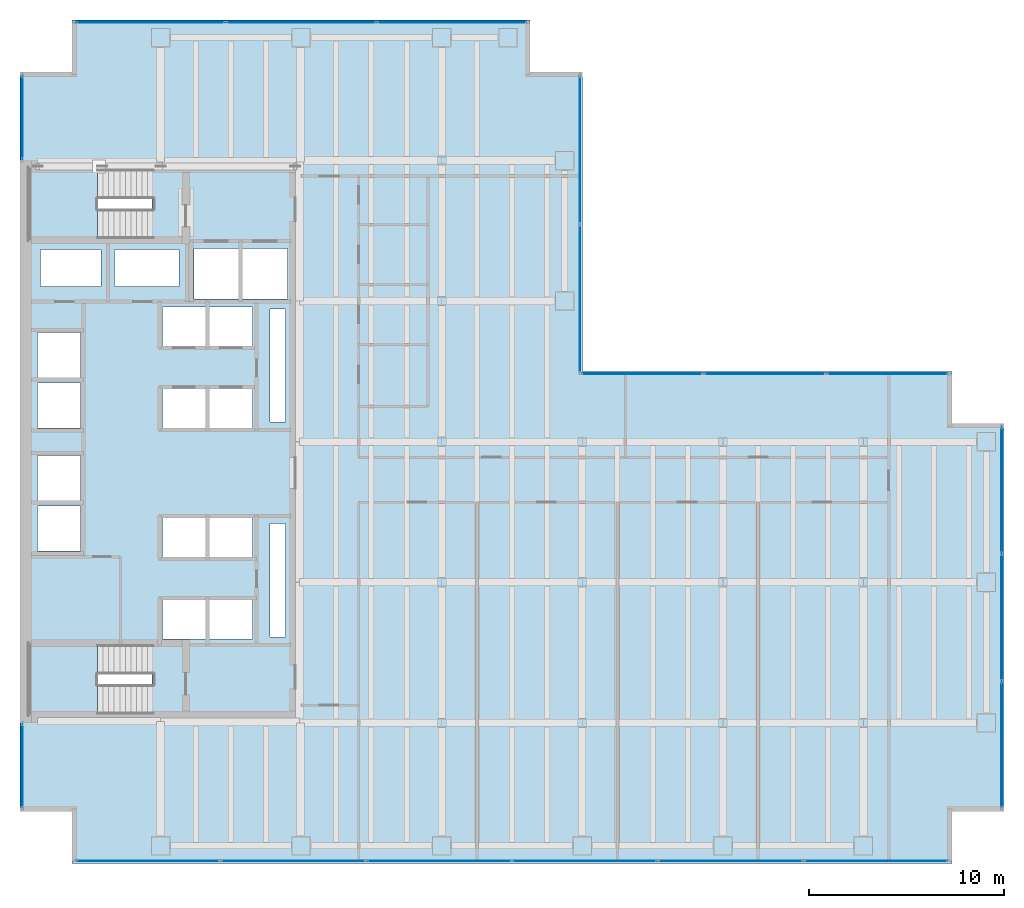
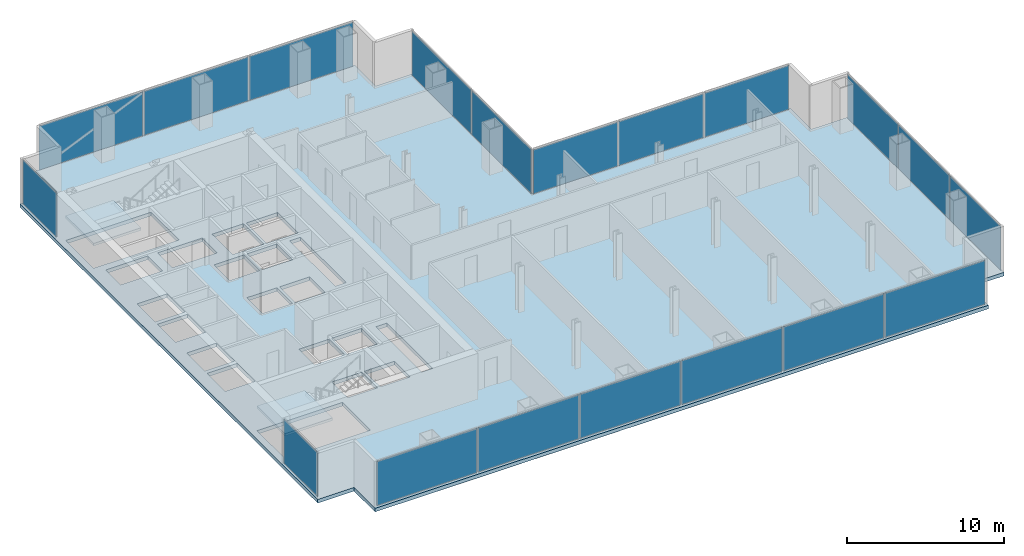
# One storey, part 19 of 23: 19 plates, 3 slabs, 20 openings, 9 elements without a shape of their own.
"""IFC4 building model written with IfcOpenShell, lengths in metres."""

from ifc_helpers import new_model, si_unit, direction, frame, origin, origin_2d, place, context, subcontext, project, spatial, polyline, rectangle, outline, extrude, material, layer, layer_set, type_object, element, aggregate, save


model = new_model("IFC4")

# Units and contexts
model_context = context("Model", 3, precision=1e-05, world=origin(), true_north=direction((0.0, 1.0)))
body_context = subcontext(model_context, "Body", "Model", "MODEL_VIEW")
ifc_project = project(units=[si_unit("LENGTHUNIT", "METRE"), si_unit("AREAUNIT", "SQUARE_METRE"), si_unit("VOLUMEUNIT", "CUBIC_METRE"), si_unit("PLANEANGLEUNIT", "RADIAN"), si_unit("MASSUNIT", "GRAM", prefix="KILO")], contexts=[model_context])

# Site, building, storey
site_placement = place(None, origin())
site = spatial("IfcSite", under=ifc_project, at=site_placement, CompositionType="ELEMENT")
building_placement = place(site_placement, origin())
building = spatial("IfcBuilding", under=site, at=building_placement, Name="Cobrela Telecom Tower", CompositionType="ELEMENT")
storey_placement = place(building_placement, frame((0.0, 0.0, 54.25)))
storey = spatial("IfcBuildingStorey", under=building, at=storey_placement, Name="L13", CompositionType="ELEMENT", Elevation=54.25)

# Curtain wall, plate
ifc_material_1 = material(Name="Anodized Bronze Aluminium 6063-T6", Category="aluminium")
curtain_wall_type = type_object("IfcCurtainWallType", Name="CW-SYS-DATA", PredefinedType="USERDEFINED", material=ifc_material_1)
curtain_wall_1_placement = place(storey_placement, origin())
curtain_wall_1 = element("IfcCurtainWall", 1, at=curtain_wall_1_placement, inside=storey, type_object=curtain_wall_type, Name="L13 Unitised Bronze Curtain Wall 03", ObjectType="UNITISED CURTAIN WALL", PredefinedType="USERDEFINED")
ifc_material_2 = material(Name="Solar-Control Bronze Low-E Glass", Category="glass")
ifc_layer_1 = layer(ifc_material_2, 0.0380859375)
ifc_layer_set_1 = layer_set([ifc_layer_1], Name="Solar-Control Bronze Low-E Glass")
plate_type = type_object("IfcPlateType", Name="CW-SYS-DATA-PNL", PredefinedType="CURTAIN_PANEL", material=ifc_layer_set_1)
plate_1_placement = place(storey_placement, frame((0.1201171875, 4.9951171875, 0.074951171875), z_axis=(0.0, 0.0, 1.0), x_axis=(0.0, 1.0, 0.0)))
plate_1 = element("IfcPlate", 2, at=plate_1_placement, type_object=plate_type, Name="CW-DATA panel 1.1", PredefinedType="CURTAIN_PANEL", context=body_context, shape_type="SweptSolid", body=[
    extrude(rectangle(XDim=4.25, YDim=0.0380859375, at=origin_2d()), origin(), (0.0, 0.0, 1.0), 3.419921875),
])
aggregate(curtain_wall_1, [plate_1])

curtain_wall_2_placement = place(storey_placement, origin())
curtain_wall_2 = element("IfcCurtainWall", 3, at=curtain_wall_2_placement, inside=storey, type_object=curtain_wall_type, Name="L13 Unitised Bronze Curtain Wall 04", ObjectType="UNITISED CURTAIN WALL", PredefinedType="USERDEFINED")
plate_2_placement = place(storey_placement, frame((0.1201171875, 38.205078125, 0.074951171875), z_axis=(0.0, 0.0, 1.0), x_axis=(0.0, 1.0, 0.0)))
plate_2 = element("IfcPlate", 4, at=plate_2_placement, type_object=plate_type, Name="CW-DATA panel 1.1", PredefinedType="CURTAIN_PANEL", context=body_context, shape_type="SweptSolid", body=[
    extrude(rectangle(XDim=4.25, YDim=0.0380859375, at=origin_2d()), origin(), (0.0, 0.0, 1.0), 3.419921875),
])
aggregate(curtain_wall_2, [plate_2])

# Curtain wall, plates
curtain_wall_3_placement = place(storey_placement, origin())
curtain_wall_3 = element("IfcCurtainWall", 5, at=curtain_wall_3_placement, inside=storey, type_object=curtain_wall_type, Name="L13 Unitised Bronze Curtain Wall 07", ObjectType="UNITISED CURTAIN WALL", PredefinedType="USERDEFINED")
plate_3_placement = place(storey_placement, frame((6.679931640625, 43.080078125, 0.074951171875), z_axis=(0.0, 0.0, 1.0), x_axis=(1.0, 0.0, 0.0)))
plate_3 = element("IfcPlate", 6, at=plate_3_placement, type_object=plate_type, Name="CW-DATA panel 1.1", PredefinedType="CURTAIN_PANEL", context=body_context, shape_type="SweptSolid", body=[
    extrude(rectangle(XDim=7.6201171875, YDim=0.0380859375, at=origin_2d()), origin(), (0.0, 0.0, 1.0), 3.419921875),
])
plate_4_placement = place(storey_placement, frame((14.39990234375, 43.080078125, 0.074951171875), z_axis=(0.0, 0.0, 1.0), x_axis=(1.0, 0.0, 0.0)))
plate_4 = element("IfcPlate", 7, at=plate_4_placement, type_object=plate_type, Name="CW-DATA panel 2.1", PredefinedType="CURTAIN_PANEL", context=body_context, shape_type="SweptSolid", body=[
    extrude(rectangle(XDim=7.659912109375, YDim=0.0380859375, at=origin_2d()), origin(), (0.0, 0.0, 1.0), 3.419921875),
])
plate_5_placement = place(storey_placement, frame((22.1201171875, 43.080078125, 0.074951171875), z_axis=(0.0, 0.0, 1.0), x_axis=(1.0, 0.0, 0.0)))
plate_5 = element("IfcPlate", 8, at=plate_5_placement, type_object=plate_type, Name="CW-DATA panel 3.1", PredefinedType="CURTAIN_PANEL", context=body_context, shape_type="SweptSolid", body=[
    extrude(rectangle(XDim=7.6201171875, YDim=0.0380859375, at=origin_2d()), origin(), (0.0, 0.0, 1.0), 3.419921875),
])
aggregate(curtain_wall_3, [plate_3, plate_4, plate_5])

curtain_wall_4_placement = place(storey_placement, origin())
curtain_wall_4 = element("IfcCurtainWall", 9, at=curtain_wall_4_placement, inside=storey, type_object=curtain_wall_type, Name="L13 Unitised Bronze Curtain Wall 10", ObjectType="UNITISED CURTAIN WALL", PredefinedType="USERDEFINED")
plate_6_placement = place(storey_placement, frame((28.679931640625, 36.5576171875, 0.074951171875), z_axis=(0.0, 0.0, 1.0), x_axis=(0.0, -1.0, 0.0)))
plate_6 = element("IfcPlate", 10, at=plate_6_placement, type_object=plate_type, Name="CW-DATA panel 1.1", PredefinedType="CURTAIN_PANEL", context=body_context, shape_type="SweptSolid", body=[
    extrude(rectangle(XDim=7.544921875, YDim=0.0380859375, at=origin_2d()), origin(), (0.0, 0.0, 1.0), 3.419921875),
])
plate_7_placement = place(storey_placement, frame((28.679931640625, 28.9326171875, 0.074951171875), z_axis=(0.0, 0.0, 1.0), x_axis=(0.0, -1.0, 0.0)))
plate_7 = element("IfcPlate", 11, at=plate_7_placement, type_object=plate_type, Name="CW-DATA panel 2.1", PredefinedType="CURTAIN_PANEL", context=body_context, shape_type="SweptSolid", body=[
    extrude(rectangle(XDim=7.544921875, YDim=0.0380859375, at=origin_2d()), origin(), (0.0, 0.0, 1.0), 3.419921875),
])
aggregate(curtain_wall_4, [plate_6, plate_7])

curtain_wall_5_placement = place(storey_placement, origin())
curtain_wall_5 = element("IfcCurtainWall", 12, at=curtain_wall_5_placement, inside=storey, type_object=curtain_wall_type, Name="L13 Unitised Bronze Curtain Wall 11", ObjectType="UNITISED CURTAIN WALL", PredefinedType="USERDEFINED")
plate_8_placement = place(storey_placement, frame((31.85498046875, 25.080078125, 0.074951171875), z_axis=(0.0, 0.0, 1.0), x_axis=(1.0, 0.0, 0.0)))
plate_8 = element("IfcPlate", 13, at=plate_8_placement, type_object=plate_type, Name="CW-DATA panel 1.1", PredefinedType="CURTAIN_PANEL", context=body_context, shape_type="SweptSolid", body=[
    extrude(rectangle(XDim=6.18994140625, YDim=0.0380859375, at=origin_2d()), origin(), (0.0, 0.0, 1.0), 3.419921875),
])
plate_9_placement = place(storey_placement, frame((38.14501953125, 25.080078125, 0.074951171875), z_axis=(0.0, 0.0, 1.0), x_axis=(1.0, 0.0, 0.0)))
plate_9 = element("IfcPlate", 14, at=plate_9_placement, type_object=plate_type, Name="CW-DATA panel 2.1", PredefinedType="CURTAIN_PANEL", context=body_context, shape_type="SweptSolid", body=[
    extrude(rectangle(XDim=6.22998046875, YDim=0.0380859375, at=origin_2d()), origin(), (0.0, 0.0, 1.0), 3.419921875),
])
plate_10_placement = place(storey_placement, frame((44.43505859375, 25.080078125, 0.074951171875), z_axis=(0.0, 0.0, 1.0), x_axis=(1.0, 0.0, 0.0)))
plate_10 = element("IfcPlate", 15, at=plate_10_placement, type_object=plate_type, Name="CW-DATA panel 3.1", PredefinedType="CURTAIN_PANEL", context=body_context, shape_type="SweptSolid", body=[
    extrude(rectangle(XDim=6.18994140625, YDim=0.0380859375, at=origin_2d()), origin(), (0.0, 0.0, 1.0), 3.419921875),
])
aggregate(curtain_wall_5, [plate_8, plate_9, plate_10])

curtain_wall_6_placement = place(storey_placement, origin())
curtain_wall_6 = element("IfcCurtainWall", 16, at=curtain_wall_6_placement, inside=storey, type_object=curtain_wall_type, Name="L13 Unitised Bronze Curtain Wall 14", ObjectType="UNITISED CURTAIN WALL", PredefinedType="USERDEFINED")
plate_11_placement = place(storey_placement, frame((50.280029296875, 19.1201171875, 0.074951171875), z_axis=(0.0, 0.0, 1.0), x_axis=(0.0, -1.0, 0.0)))
plate_11 = element("IfcPlate", 17, at=plate_11_placement, type_object=plate_type, Name="CW-DATA panel 1.1", PredefinedType="CURTAIN_PANEL", context=body_context, shape_type="SweptSolid", body=[
    extrude(rectangle(XDim=6.419921875, YDim=0.0380859375, at=origin_2d()), origin(), (0.0, 0.0, 1.0), 3.419921875),
])
plate_12_placement = place(storey_placement, frame((50.280029296875, 12.60009765625, 0.074951171875), z_axis=(0.0, 0.0, 1.0), x_axis=(0.0, -1.0, 0.0)))
plate_12 = element("IfcPlate", 18, at=plate_12_placement, type_object=plate_type, Name="CW-DATA panel 2.1", PredefinedType="CURTAIN_PANEL", context=body_context, shape_type="SweptSolid", body=[
    extrude(rectangle(XDim=6.4599609375, YDim=0.0380859375, at=origin_2d()), origin(), (0.0, 0.0, 1.0), 3.419921875),
])
plate_13_placement = place(storey_placement, frame((50.280029296875, 6.080078125, 0.074951171875), z_axis=(0.0, 0.0, 1.0), x_axis=(0.0, -1.0, 0.0)))
plate_13 = element("IfcPlate", 19, at=plate_13_placement, type_object=plate_type, Name="CW-DATA panel 3.1", PredefinedType="CURTAIN_PANEL", context=body_context, shape_type="SweptSolid", body=[
    extrude(rectangle(XDim=6.419921875, YDim=0.0380859375, at=origin_2d()), origin(), (0.0, 0.0, 1.0), 3.419921875),
])
aggregate(curtain_wall_6, [plate_11, plate_12, plate_13])

curtain_wall_7_placement = place(storey_placement, origin())
curtain_wall_7 = element("IfcCurtainWall", 20, at=curtain_wall_7_placement, inside=storey, type_object=curtain_wall_type, Name="L13 Unitised Bronze Curtain Wall 17", ObjectType="UNITISED CURTAIN WALL", PredefinedType="USERDEFINED")
plate_14_placement = place(storey_placement, frame((43.85498046875, 0.1201171875, 0.074951171875), z_axis=(0.0, 0.0, 1.0), x_axis=(-1.0, 0.0, 0.0)))
plate_14 = element("IfcPlate", 21, at=plate_14_placement, type_object=plate_type, Name="CW-DATA panel 1.1", PredefinedType="CURTAIN_PANEL", context=body_context, shape_type="SweptSolid", body=[
    extrude(rectangle(XDim=7.35009765625, YDim=0.0380859375, at=origin_2d()), origin(), (0.0, 0.0, 1.0), 3.419921875),
])
plate_15_placement = place(storey_placement, frame((36.405029296875, 0.1201171875, 0.074951171875), z_axis=(0.0, 0.0, 1.0), x_axis=(-1.0, 0.0, 0.0)))
plate_15 = element("IfcPlate", 22, at=plate_15_placement, type_object=plate_type, Name="CW-DATA panel 2.1", PredefinedType="CURTAIN_PANEL", context=body_context, shape_type="SweptSolid", body=[
    extrude(rectangle(XDim=7.389892578125, YDim=0.0380859375, at=origin_2d()), origin(), (0.0, 0.0, 1.0), 3.419921875),
])
plate_16_placement = place(storey_placement, frame((28.93505859375, 0.1201171875, 0.074951171875), z_axis=(0.0, 0.0, 1.0), x_axis=(-1.0, 0.0, 0.0)))
plate_16 = element("IfcPlate", 23, at=plate_16_placement, type_object=plate_type, Name="CW-DATA panel 3.1", PredefinedType="CURTAIN_PANEL", context=body_context, shape_type="SweptSolid", body=[
    extrude(rectangle(XDim=7.389892578125, YDim=0.0380859375, at=origin_2d()), origin(), (0.0, 0.0, 1.0), 3.419921875),
])
plate_17_placement = place(storey_placement, frame((21.465087890625, 0.1201171875, 0.074951171875), z_axis=(0.0, 0.0, 1.0), x_axis=(-1.0, 0.0, 0.0)))
plate_17 = element("IfcPlate", 24, at=plate_17_placement, type_object=plate_type, Name="CW-DATA panel 4.1", PredefinedType="CURTAIN_PANEL", context=body_context, shape_type="SweptSolid", body=[
    extrude(rectangle(XDim=7.389892578125, YDim=0.0380859375, at=origin_2d()), origin(), (0.0, 0.0, 1.0), 3.419921875),
])
plate_18_placement = place(storey_placement, frame((13.9951171875, 0.1201171875, 0.074951171875), z_axis=(0.0, 0.0, 1.0), x_axis=(-1.0, 0.0, 0.0)))
plate_18 = element("IfcPlate", 25, at=plate_18_placement, type_object=plate_type, Name="CW-DATA panel 5.1", PredefinedType="CURTAIN_PANEL", context=body_context, shape_type="SweptSolid", body=[
    extrude(rectangle(XDim=7.389892578125, YDim=0.0380859375, at=origin_2d()), origin(), (0.0, 0.0, 1.0), 3.419921875),
])
plate_19_placement = place(storey_placement, frame((6.544921875, 0.1201171875, 0.074951171875), z_axis=(0.0, 0.0, 1.0), x_axis=(-1.0, 0.0, 0.0)))
plate_19 = element("IfcPlate", 26, at=plate_19_placement, type_object=plate_type, Name="CW-DATA panel 6.1", PredefinedType="CURTAIN_PANEL", context=body_context, shape_type="SweptSolid", body=[
    extrude(rectangle(XDim=7.35009765625, YDim=0.0380859375, at=origin_2d()), origin(), (0.0, 0.0, 1.0), 3.419921875),
])
aggregate(curtain_wall_7, [plate_14, plate_15, plate_16, plate_17, plate_18, plate_19])

# Slab, openings
ifc_material_3 = material(Name="Concrete C40/50", Category="concrete")
ifc_layer_2 = layer(ifc_material_3, 0.280029296875)
ifc_layer_set_2 = layer_set([ifc_layer_2], Name="Concrete C40/50")
slab_type_1 = type_object("IfcSlabType", Name="SLAB-FLR-280", PredefinedType="FLOOR", material=ifc_layer_set_2)
slab_1_placement = place(storey_placement, frame((0.0, 0.0, -0.280029296875)))
slab_1 = element("IfcSlab", 27, at=slab_1_placement, inside=storey, type_object=slab_type_1, Name="L13 Structural Floor Slab", PredefinedType="FLOOR", context=body_context, shape_type="SweptSolid", body=[
    extrude(outline(polyline([(2.669921875, 0.0), (47.72998046875, 0.0), (47.72998046875, 2.669921875), (50.39990234375, 2.669921875), (50.39990234375, 22.530029296875), (47.72998046875, 22.530029296875), (47.72998046875, 25.199951171875), (28.800048828125, 25.199951171875), (28.800048828125, 40.530029296875), (26.1298828125, 40.530029296875), (26.1298828125, 43.199951171875), (2.669921875, 43.199951171875), (2.669921875, 40.530029296875), (0.0, 40.530029296875), (0.0, 2.669921875), (2.669921875, 2.669921875), (2.669921875, 0.0)])), origin(), (0.0, 0.0, 1.0), 0.280029296875),
])
opening_1_placement = place(slab_1_placement, frame((0.0, 0.0, -0.02001953125)))
element("IfcOpeningElement", 28, at=opening_1_placement, cuts=slab_1, Name="Slab Shaft Opening SLAB-L13-MAIN.1", PredefinedType="OPENING", context=body_context, shape_type="SweptSolid", body=[
    extrude(outline(polyline([(8.89990234375, 28.89990234375), (11.199951171875, 28.89990234375), (11.199951171875, 31.5), (8.89990234375, 31.5), (8.89990234375, 28.89990234375)])), origin(), (0.0, 0.0, 1.0), 0.320068359375),
])
opening_2_placement = place(slab_1_placement, frame((0.0, 0.0, -0.02001953125)))
element("IfcOpeningElement", 29, at=opening_2_placement, cuts=slab_1, Name="Slab Shaft Opening SLAB-L13-MAIN.2", PredefinedType="OPENING", context=body_context, shape_type="SweptSolid", body=[
    extrude(outline(polyline([(11.39990234375, 28.89990234375), (13.699951171875, 28.89990234375), (13.699951171875, 31.5), (11.39990234375, 31.5), (11.39990234375, 28.89990234375)])), origin(), (0.0, 0.0, 1.0), 0.320068359375),
])
opening_3_placement = place(slab_1_placement, frame((0.0, 0.0, -0.02001953125)))
element("IfcOpeningElement", 30, at=opening_3_placement, cuts=slab_1, Name="Slab Shaft Opening SLAB-L13-MAIN.3", PredefinedType="OPENING", context=body_context, shape_type="SweptSolid", body=[
    extrude(outline(polyline([(7.300048828125, 22.300048828125), (9.5, 22.300048828125), (9.5, 24.300048828125), (7.300048828125, 24.300048828125), (7.300048828125, 22.300048828125)])), origin(), (0.0, 0.0, 1.0), 0.320068359375),
])
opening_4_placement = place(slab_1_placement, frame((0.0, 0.0, -0.02001953125)))
element("IfcOpeningElement", 31, at=opening_4_placement, cuts=slab_1, Name="Slab Shaft Opening SLAB-L13-MAIN.4", PredefinedType="OPENING", context=body_context, shape_type="SweptSolid", body=[
    extrude(outline(polyline([(9.699951171875, 22.300048828125), (11.89990234375, 22.300048828125), (11.89990234375, 24.300048828125), (9.699951171875, 24.300048828125), (9.699951171875, 22.300048828125)])), origin(), (0.0, 0.0, 1.0), 0.320068359375),
])
opening_5_placement = place(slab_1_placement, frame((0.0, 0.0, -0.02001953125)))
element("IfcOpeningElement", 32, at=opening_5_placement, cuts=slab_1, Name="Slab Shaft Opening SLAB-L13-MAIN.5", PredefinedType="OPENING", context=body_context, shape_type="SweptSolid", body=[
    extrude(outline(polyline([(7.300048828125, 26.5), (9.5, 26.5), (9.5, 28.5), (7.300048828125, 28.5), (7.300048828125, 26.5)])), origin(), (0.0, 0.0, 1.0), 0.320068359375),
])
opening_6_placement = place(slab_1_placement, frame((0.0, 0.0, -0.02001953125)))
element("IfcOpeningElement", 33, at=opening_6_placement, cuts=slab_1, Name="Slab Shaft Opening SLAB-L13-MAIN.6", PredefinedType="OPENING", context=body_context, shape_type="SweptSolid", body=[
    extrude(outline(polyline([(9.699951171875, 26.5), (11.89990234375, 26.5), (11.89990234375, 28.5), (9.699951171875, 28.5), (9.699951171875, 26.5)])), origin(), (0.0, 0.0, 1.0), 0.320068359375),
])
opening_7_placement = place(slab_1_placement, frame((0.0, 0.0, -0.02001953125)))
element("IfcOpeningElement", 34, at=opening_7_placement, cuts=slab_1, Name="Slab Shaft Opening SLAB-L13-MAIN.7", PredefinedType="OPENING", context=body_context, shape_type="SweptSolid", body=[
    extrude(outline(polyline([(7.300048828125, 15.699951171875), (9.5, 15.699951171875), (9.5, 17.699951171875), (7.300048828125, 17.699951171875), (7.300048828125, 15.699951171875)])), origin(), (0.0, 0.0, 1.0), 0.320068359375),
])
opening_8_placement = place(slab_1_placement, frame((0.0, 0.0, -0.02001953125)))
element("IfcOpeningElement", 35, at=opening_8_placement, cuts=slab_1, Name="Slab Shaft Opening SLAB-L13-MAIN.8", PredefinedType="OPENING", context=body_context, shape_type="SweptSolid", body=[
    extrude(outline(polyline([(9.699951171875, 15.699951171875), (11.89990234375, 15.699951171875), (11.89990234375, 17.699951171875), (9.699951171875, 17.699951171875), (9.699951171875, 15.699951171875)])), origin(), (0.0, 0.0, 1.0), 0.320068359375),
])
opening_9_placement = place(slab_1_placement, frame((0.0, 0.0, -0.02001953125)))
element("IfcOpeningElement", 36, at=opening_9_placement, cuts=slab_1, Name="Slab Shaft Opening SLAB-L13-MAIN.9", PredefinedType="OPENING", context=body_context, shape_type="SweptSolid", body=[
    extrude(outline(polyline([(7.300048828125, 11.5), (9.5, 11.5), (9.5, 13.5), (7.300048828125, 13.5), (7.300048828125, 11.5)])), origin(), (0.0, 0.0, 1.0), 0.320068359375),
])
opening_10_placement = place(slab_1_placement, frame((0.0, 0.0, -0.02001953125)))
element("IfcOpeningElement", 37, at=opening_10_placement, cuts=slab_1, Name="Slab Shaft Opening SLAB-L13-MAIN.10", PredefinedType="OPENING", context=body_context, shape_type="SweptSolid", body=[
    extrude(outline(polyline([(9.699951171875, 11.5), (11.89990234375, 11.5), (11.89990234375, 13.5), (9.699951171875, 13.5), (9.699951171875, 11.5)])), origin(), (0.0, 0.0, 1.0), 0.320068359375),
])
opening_11_placement = place(slab_1_placement, frame((0.0, 0.0, -0.02001953125)))
element("IfcOpeningElement", 38, at=opening_11_placement, cuts=slab_1, Name="Slab Shaft Opening SLAB-L13-MAIN.11", PredefinedType="OPENING", context=body_context, shape_type="SweptSolid", body=[
    extrude(outline(polyline([(0.89990234375, 16.0), (3.10009765625, 16.0), (3.10009765625, 18.300048828125), (0.89990234375, 18.300048828125), (0.89990234375, 16.0)])), origin(), (0.0, 0.0, 1.0), 0.320068359375),
])
opening_12_placement = place(slab_1_placement, frame((0.0, 0.0, -0.02001953125)))
element("IfcOpeningElement", 39, at=opening_12_placement, cuts=slab_1, Name="Slab Shaft Opening SLAB-L13-MAIN.12", PredefinedType="OPENING", context=body_context, shape_type="SweptSolid", body=[
    extrude(outline(polyline([(0.89990234375, 18.60009765625), (3.10009765625, 18.60009765625), (3.10009765625, 20.89990234375), (0.89990234375, 20.89990234375), (0.89990234375, 18.60009765625)])), origin(), (0.0, 0.0, 1.0), 0.320068359375),
])
opening_13_placement = place(slab_1_placement, frame((0.0, 0.0, -0.02001953125)))
element("IfcOpeningElement", 40, at=opening_13_placement, cuts=slab_1, Name="Slab Shaft Opening SLAB-L13-MAIN.13", PredefinedType="OPENING", context=body_context, shape_type="SweptSolid", body=[
    extrude(outline(polyline([(0.89990234375, 22.300048828125), (3.10009765625, 22.300048828125), (3.10009765625, 24.60009765625), (0.89990234375, 24.60009765625), (0.89990234375, 22.300048828125)])), origin(), (0.0, 0.0, 1.0), 0.320068359375),
])
opening_14_placement = place(slab_1_placement, frame((0.0, 0.0, -0.02001953125)))
element("IfcOpeningElement", 41, at=opening_14_placement, cuts=slab_1, Name="Slab Shaft Opening SLAB-L13-MAIN.14", PredefinedType="OPENING", context=body_context, shape_type="SweptSolid", body=[
    extrude(outline(polyline([(0.89990234375, 24.89990234375), (3.10009765625, 24.89990234375), (3.10009765625, 27.199951171875), (0.89990234375, 27.199951171875), (0.89990234375, 24.89990234375)])), origin(), (0.0, 0.0, 1.0), 0.320068359375),
])
opening_15_placement = place(slab_1_placement, frame((0.0, 0.0, -0.02001953125)))
element("IfcOpeningElement", 42, at=opening_15_placement, cuts=slab_1, Name="Slab Shaft Opening SLAB-L13-MAIN.15", PredefinedType="OPENING", context=body_context, shape_type="SweptSolid", body=[
    extrude(outline(polyline([(1.050048828125, 29.550048828125), (4.14990234375, 29.550048828125), (4.14990234375, 31.449951171875), (1.050048828125, 31.449951171875), (1.050048828125, 29.550048828125)])), origin(), (0.0, 0.0, 1.0), 0.320068359375),
])
opening_16_placement = place(slab_1_placement, frame((0.0, 0.0, -0.02001953125)))
element("IfcOpeningElement", 43, at=opening_16_placement, cuts=slab_1, Name="Slab Shaft Opening SLAB-L13-MAIN.16", PredefinedType="OPENING", context=body_context, shape_type="SweptSolid", body=[
    extrude(outline(polyline([(4.85009765625, 29.550048828125), (8.14990234375, 29.550048828125), (8.14990234375, 31.449951171875), (4.85009765625, 31.449951171875), (4.85009765625, 29.550048828125)])), origin(), (0.0, 0.0, 1.0), 0.320068359375),
])
opening_17_placement = place(slab_1_placement, frame((0.0, 0.0, -0.02001953125)))
element("IfcOpeningElement", 44, at=opening_17_placement, cuts=slab_1, Name="Slab Shaft Opening SLAB-L13-MAIN.17", PredefinedType="OPENING", context=body_context, shape_type="SweptSolid", body=[
    extrude(outline(polyline([(12.800048828125, 22.60009765625), (13.60009765625, 22.60009765625), (13.60009765625, 28.39990234375), (12.800048828125, 28.39990234375), (12.800048828125, 22.60009765625)])), origin(), (0.0, 0.0, 1.0), 0.320068359375),
])
opening_18_placement = place(slab_1_placement, frame((0.0, 0.0, -0.02001953125)))
element("IfcOpeningElement", 45, at=opening_18_placement, cuts=slab_1, Name="Slab Shaft Opening SLAB-L13-MAIN.18", PredefinedType="OPENING", context=body_context, shape_type="SweptSolid", body=[
    extrude(outline(polyline([(12.800048828125, 11.60009765625), (13.60009765625, 11.60009765625), (13.60009765625, 17.39990234375), (12.800048828125, 17.39990234375), (12.800048828125, 11.60009765625)])), origin(), (0.0, 0.0, 1.0), 0.320068359375),
])
opening_19_placement = place(slab_1_placement, frame((0.0, 0.0, -0.02001953125)))
element("IfcOpeningElement", 46, at=opening_19_placement, cuts=slab_1, Name="Slab Shaft Opening SLAB-L13-MAIN.19", PredefinedType="OPENING", context=body_context, shape_type="SweptSolid", body=[
    extrude(outline(polyline([(6.7548828125, 35.550048828125), (0.47998046875, 35.550048828125), (0.47998046875, 32.0), (6.7548828125, 32.0), (6.7548828125, 35.550048828125)])), origin(), (0.0, 0.0, 1.0), 0.320068359375),
])
opening_20_placement = place(slab_1_placement, frame((0.0, 0.0, -0.02001953125)))
element("IfcOpeningElement", 47, at=opening_20_placement, cuts=slab_1, Name="Slab Shaft Opening SLAB-L13-MAIN.20", PredefinedType="OPENING", context=body_context, shape_type="SweptSolid", body=[
    extrude(outline(polyline([(6.7548828125, 11.199951171875), (0.47998046875, 11.199951171875), (0.47998046875, 7.64990234375), (6.7548828125, 7.64990234375), (6.7548828125, 11.199951171875)])), origin(), (0.0, 0.0, 1.0), 0.320068359375),
])

# Stair, slab
stair_type = type_object("IfcStairType", Name="STAIR-CORE", PredefinedType="HALF_TURN_STAIR", material=ifc_material_3)
stair_1_placement = place(storey_placement, origin())
stair_1 = element("IfcStair", 48, at=stair_1_placement, inside=storey, type_object=stair_type, Name="L13 Smokeproof Exit Stair ST1", PredefinedType="HALF_TURN_STAIR")
ifc_layer_3 = layer(ifc_material_3, 0.199951171875)
ifc_layer_set_3 = layer_set([ifc_layer_3], Name="Concrete C40/50")
slab_type_2 = type_object("IfcSlabType", Name="SLAB-LAND-200", PredefinedType="LANDING", material=ifc_layer_set_3)
slab_2_placement = place(storey_placement, frame((0.0, 0.0, 1.72509765625)))
slab_2 = element("IfcSlab", 49, at=slab_2_placement, type_object=slab_type_2, Name="ST1 landing 1", PredefinedType="LANDING", context=body_context, shape_type="SweptSolid", body=[
    extrude(outline(polyline([(3.969970703125, 35.550048828125), (0.47998046875, 35.550048828125), (0.47998046875, 32.0), (3.969970703125, 32.0), (3.969970703125, 35.550048828125)])), origin(), (0.0, 0.0, 1.0), 0.199951171875),
])
aggregate(stair_1, [slab_2])

stair_2_placement = place(storey_placement, origin())
stair_2 = element("IfcStair", 50, at=stair_2_placement, inside=storey, type_object=stair_type, Name="L13 Smokeproof Exit Stair ST2", PredefinedType="HALF_TURN_STAIR")
slab_3_placement = place(storey_placement, frame((0.0, 0.0, 1.72509765625)))
slab_3 = element("IfcSlab", 51, at=slab_3_placement, type_object=slab_type_2, Name="ST2 landing 1", PredefinedType="LANDING", context=body_context, shape_type="SweptSolid", body=[
    extrude(outline(polyline([(3.969970703125, 11.199951171875), (0.47998046875, 11.199951171875), (0.47998046875, 7.64990234375), (3.969970703125, 7.64990234375), (3.969970703125, 11.199951171875)])), origin(), (0.0, 0.0, 1.0), 0.199951171875),
])
aggregate(stair_2, [slab_3])

save(model, "model.ifc")
